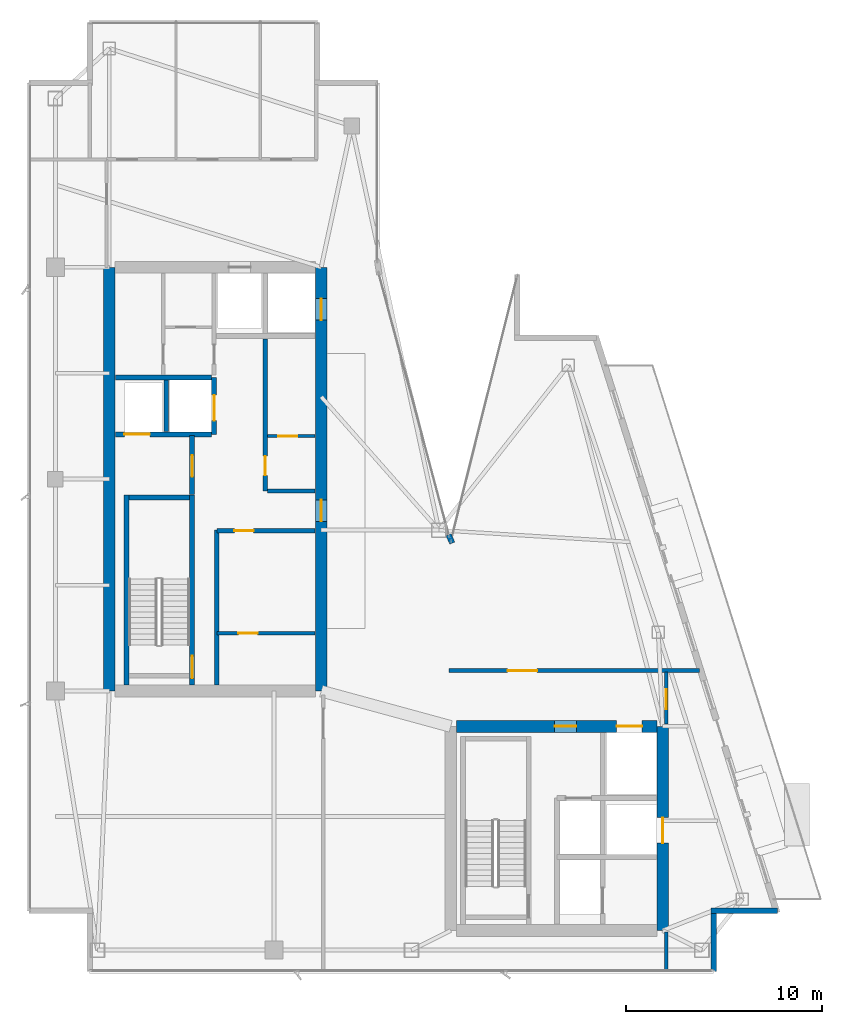
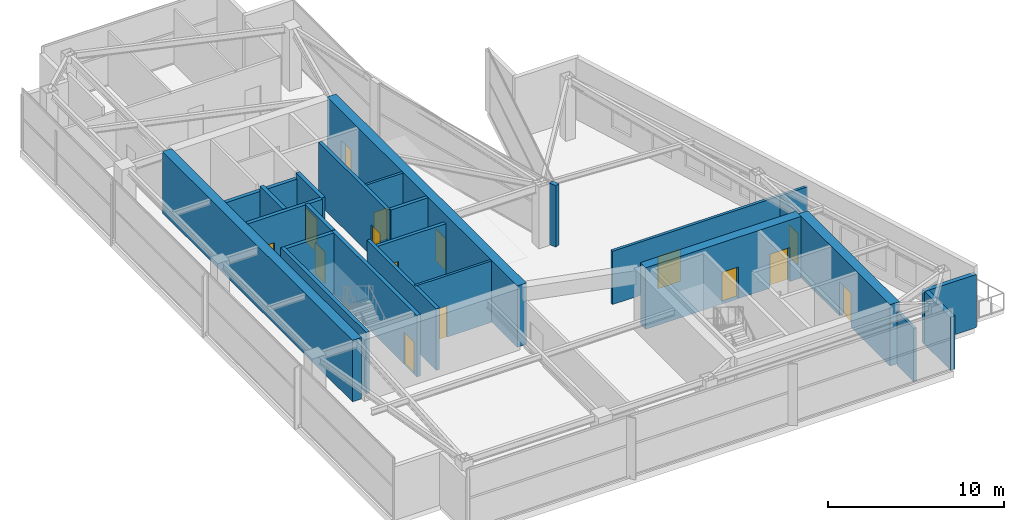
# One storey, part 21 of 25: 24 walls, 15 doors, 15 openings.
"""IFC4 building model written with IfcOpenShell, lengths in metres."""

from ifc_helpers import new_model, si_unit, direction, frame, frame_2d, origin, place, context, subcontext, project, spatial, rectangle, extrude, material, layer, layer_set, type_object, element, fill, save


model = new_model("IFC4")

# Units and contexts
model_context = context("Model", 3, precision=1e-05, world=origin(), true_north=direction((0.0, 1.0)))
body_context = subcontext(model_context, "Body", "Model", "MODEL_VIEW")
ifc_project = project(units=[si_unit("LENGTHUNIT", "METRE"), si_unit("AREAUNIT", "SQUARE_METRE"), si_unit("VOLUMEUNIT", "CUBIC_METRE"), si_unit("PLANEANGLEUNIT", "RADIAN"), si_unit("MASSUNIT", "GRAM", prefix="KILO")], contexts=[model_context])

# Site, building, storey
site_placement = place(None, origin())
site = spatial("IfcSite", under=ifc_project, at=site_placement, CompositionType="ELEMENT")
building_placement = place(site_placement, origin())
building = spatial("IfcBuilding", under=site, at=building_placement, Name="Calvorn Quay Hotel", CompositionType="ELEMENT")
storey_placement = place(building_placement, frame((0.0, 0.0, 307.0)))
storey = spatial("IfcBuildingStorey", under=building, at=storey_placement, Name="L76", CompositionType="ELEMENT", Elevation=307.0)

# Wall
ifc_material_1 = material(Name="Concrete C45", Category="concrete")
ifc_layer_1 = layer(ifc_material_1, 0.60009765625)
ifc_layer_set_1 = layer_set([ifc_layer_1], Name="WL-CORE-600")
wall_type_1 = type_object("IfcWallType", Name="WL-CORE-600", PredefinedType="SHEAR", material=ifc_layer_set_1)
wall_1_placement = place(storey_placement, frame((4.199951171875, 16.800048828125, 0.0), z_axis=(0.0, 0.0, 1.0), x_axis=(0.0, 1.0, 0.0)))
element("IfcWall", 1, at=wall_1_placement, inside=storey, type_object=wall_type_1, Name="West Core Shear Wall W (L76)", PredefinedType="SHEAR", context=body_context, shape_type="SweptSolid", body=[
    extrude(rectangle(XDim=21.599853515625, YDim=0.60009765625, at=frame_2d((10.7998046875, 0.0))), origin(), (0.0, 0.0, 1.0), 4.260009765625),
])

# Wall, openings, doors
wall_2_placement = place(storey_placement, frame((15.0, 16.800048828125, 0.0), z_axis=(0.0, 0.0, 1.0), x_axis=(0.0, 1.0, 0.0)))
wall_2 = element("IfcWall", 2, at=wall_2_placement, inside=storey, type_object=wall_type_1, Name="West Core Shear Wall E (L76)", PredefinedType="SHEAR", context=body_context, shape_type="SweptSolid", body=[
    extrude(rectangle(XDim=21.599853515625, YDim=0.60009765625, at=frame_2d((10.7998046875, 0.0))), origin(), (0.0, 0.0, 1.0), 4.260009765625),
])
opening_1_placement = place(wall_2_placement, frame((8.64990234375, 0.0, 0.0)))
opening_1 = element("IfcOpeningElement", 3, at=opening_1_placement, cuts=wall_2, Name="Opening D-L76-CW1", PredefinedType="OPENING", context=body_context, shape_type="SweptSolid", body=[
    extrude(rectangle(XDim=1.10009765625, YDim=2.199951171875, at=frame_2d((0.550048828125, 1.10009765625))), frame((0.0, 0.31005859375, 0.0), z_axis=(0.0, -1.0, 0.0), x_axis=(1.0, 0.0, 0.0)), (0.0, 0.0, 1.0), 0.6201171875),
])
opening_2_placement = place(wall_2_placement, frame((18.89990234375, 0.0, 0.0)))
opening_2 = element("IfcOpeningElement", 4, at=opening_2_placement, cuts=wall_2, Name="Opening LD-L76-H1", PredefinedType="OPENING", context=body_context, shape_type="SweptSolid", body=[
    extrude(rectangle(XDim=1.10009765625, YDim=2.199951171875, at=frame_2d((0.550048828125, 1.10009765625))), frame((0.0, 0.31005859375, 0.0), z_axis=(0.0, -1.0, 0.0), x_axis=(1.0, 0.0, 0.0)), (0.0, 0.0, 1.0), 0.6201171875),
])
ifc_material_2 = material(Name="Smoke-Sealed Steel Class A Fire Door", Category="steel")
door_type_1 = type_object("IfcDoorType", Name="DR-FFLOBBY-1100", OperationType="NOTDEFINED", PredefinedType="DOOR", material=ifc_material_2)
door_1_placement = place(opening_1_placement, origin())
door_1 = element("IfcDoor", 5, at=door_1_placement, inside=storey, type_object=door_type_1, Name="West Core Vestibule Fire Door (L76)", OperationType="SINGLE_SWING_LEFT", OverallHeight=2.199951171875, OverallWidth=1.10009765625, PredefinedType="DOOR", context=body_context, shape_type="SweptSolid", body=[
    extrude(rectangle(XDim=1.10009765625, YDim=2.199951171875, at=frame_2d((0.550048828125, 1.10009765625))), frame((0.0, 0.02490234375, 0.0), z_axis=(0.0, -1.0, 0.0), x_axis=(1.0, 0.0, 0.0)), (0.0, 0.0, 1.0), 0.050048828125),
])
fill(opening_1, door_1)
ifc_material_3 = material(Name="Brushed Stainless Steel Sliding Lift Landing Door", Category="steel")
door_type_2 = type_object("IfcDoorType", Name="DR-LIFT-PASS-1100", OperationType="NOTDEFINED", PredefinedType="DOOR", material=ifc_material_3)
door_2_placement = place(opening_2_placement, origin())
door_2 = element("IfcDoor", 6, at=door_2_placement, inside=storey, type_object=door_type_2, Name="High-Rise Lift PL-H1 Landing Door (L76)", OperationType="DOUBLE_DOOR_SLIDING", OverallHeight=2.199951171875, OverallWidth=1.10009765625, PredefinedType="DOOR", context=body_context, shape_type="SweptSolid", body=[
    extrude(rectangle(XDim=1.10009765625, YDim=2.199951171875, at=frame_2d((0.550048828125, 1.10009765625))), frame((0.0, 0.02490234375, 0.0), z_axis=(0.0, -1.0, 0.0), x_axis=(1.0, 0.0, 0.0)), (0.0, 0.0, 1.0), 0.050048828125),
])
fill(opening_2, door_2)

# Wall, opening, door
wall_3_placement = place(storey_placement, frame((32.39990234375, 4.60009765625, 0.0), z_axis=(0.0, 0.0, 1.0), x_axis=(0.0, 1.0, 0.0)))
wall_3 = element("IfcWall", 7, at=wall_3_placement, inside=storey, type_object=wall_type_1, Name="East Core Shear Wall E (L76)", PredefinedType="SHEAR", context=body_context, shape_type="SweptSolid", body=[
    extrude(rectangle(XDim=10.39990234375, YDim=0.60009765625, at=frame_2d((5.199951171875, 0.0))), origin(), (0.0, 0.0, 1.0), 4.260009765625),
])
opening_3_placement = place(wall_3_placement, frame((4.449951171875, 0.0, 0.0)))
opening_3 = element("IfcOpeningElement", 8, at=opening_3_placement, cuts=wall_3, Name="Opening LD-L76-OB2", PredefinedType="OPENING", context=body_context, shape_type="SweptSolid", body=[
    extrude(rectangle(XDim=1.300048828125, YDim=2.35009765625, at=frame_2d((0.64990234375, 1.175048828125))), frame((0.0, 0.31005859375, 0.0), z_axis=(0.0, -1.0, 0.0), x_axis=(1.0, 0.0, 0.0)), (0.0, 0.0, 1.0), 0.6201171875),
])
ifc_material_4 = material(Name="Champagne-Bronze Sliding Express Lift Landing Door")
door_type_3 = type_object("IfcDoorType", Name="DR-LIFT-SHUTTLE-1300", OperationType="NOTDEFINED", PredefinedType="DOOR", material=ifc_material_4)
door_3_placement = place(opening_3_placement, origin())
door_3 = element("IfcDoor", 9, at=door_3_placement, inside=storey, type_object=door_type_3, Name="Observation Shuttle PL-OB2 Landing Door (L76)", OperationType="DOUBLE_DOOR_SLIDING", OverallHeight=2.35009765625, OverallWidth=1.300048828125, PredefinedType="DOOR", context=body_context, shape_type="SweptSolid", body=[
    extrude(rectangle(XDim=1.300048828125, YDim=2.35009765625, at=frame_2d((0.64990234375, 1.175048828125))), frame((0.0, 0.02490234375, 0.0), z_axis=(0.0, -1.0, 0.0), x_axis=(1.0, 0.0, 0.0)), (0.0, 0.0, 1.0), 0.050048828125),
])
fill(opening_3, door_3)

# Wall, openings, doors
wall_4_placement = place(storey_placement, frame((21.89990234375, 15.0, 0.0), z_axis=(0.0, 0.0, 1.0), x_axis=(1.0, 0.0, 0.0)))
wall_4 = element("IfcWall", 10, at=wall_4_placement, inside=storey, type_object=wall_type_1, Name="East Core Shear Wall N (L76)", PredefinedType="SHEAR", context=body_context, shape_type="SweptSolid", body=[
    extrude(rectangle(XDim=10.2001953125, YDim=0.60009765625, at=frame_2d((5.10009765625, 0.0))), origin(), (0.0, 0.0, 1.0), 4.260009765625),
])
opening_4_placement = place(wall_4_placement, frame((5.0, 0.0, 0.0)))
opening_4 = element("IfcOpeningElement", 11, at=opening_4_placement, cuts=wall_4, Name="Opening D-L76-FLE", PredefinedType="OPENING", context=body_context, shape_type="SweptSolid", body=[
    extrude(rectangle(XDim=1.10009765625, YDim=2.199951171875, at=frame_2d((0.550048828125, 1.10009765625))), frame((0.0, 0.31005859375, 0.0), z_axis=(0.0, -1.0, 0.0), x_axis=(1.0, 0.0, 0.0)), (0.0, 0.0, 1.0), 0.6201171875),
])
opening_5_placement = place(wall_4_placement, frame((8.14990234375, 0.0, 0.0)))
opening_5 = element("IfcOpeningElement", 12, at=opening_5_placement, cuts=wall_4, Name="Opening LD-L76-OB1", PredefinedType="OPENING", context=body_context, shape_type="SweptSolid", body=[
    extrude(rectangle(XDim=1.300048828125, YDim=2.35009765625, at=frame_2d((0.64990234375, 1.175048828125))), frame((0.0, 0.31005859375, 0.0), z_axis=(0.0, -1.0, 0.0), x_axis=(1.0, 0.0, 0.0)), (0.0, 0.0, 1.0), 0.6201171875),
])
door_4_placement = place(opening_4_placement, origin())
door_4 = element("IfcDoor", 13, at=door_4_placement, inside=storey, type_object=door_type_1, Name="East Firefighting Lobby Fire Door (L76)", OperationType="SINGLE_SWING_RIGHT", OverallHeight=2.199951171875, OverallWidth=1.10009765625, PredefinedType="DOOR", context=body_context, shape_type="SweptSolid", body=[
    extrude(rectangle(XDim=1.10009765625, YDim=2.199951171875, at=frame_2d((0.550048828125, 1.10009765625))), frame((0.0, 0.02490234375, 0.0), z_axis=(0.0, -1.0, 0.0), x_axis=(1.0, 0.0, 0.0)), (0.0, 0.0, 1.0), 0.050048828125),
])
fill(opening_4, door_4)
door_5_placement = place(opening_5_placement, origin())
door_5 = element("IfcDoor", 14, at=door_5_placement, inside=storey, type_object=door_type_3, Name="Observation Shuttle PL-OB1 Landing Door (L76)", OperationType="DOUBLE_DOOR_SLIDING", OverallHeight=2.35009765625, OverallWidth=1.300048828125, PredefinedType="DOOR", context=body_context, shape_type="SweptSolid", body=[
    extrude(rectangle(XDim=1.300048828125, YDim=2.35009765625, at=frame_2d((0.64990234375, 1.175048828125))), frame((0.0, 0.02490234375, 0.0), z_axis=(0.0, -1.0, 0.0), x_axis=(1.0, 0.0, 0.0)), (0.0, 0.0, 1.0), 0.050048828125),
])
fill(opening_5, door_5)

# Wall, opening, door
ifc_material_5 = material(Name="Acoustic Fireboard Steel-Stud Partition", Category="steel")
ifc_layer_2 = layer(ifc_material_5, 0.179931640625)
ifc_layer_set_2 = layer_set([ifc_layer_2], Name="WL-CORR-FIRE-180")
wall_type_2 = type_object("IfcWallType", Name="WL-CORR-FIRE-180", PredefinedType="PARTITIONING", material=ifc_layer_set_2)
wall_5_placement = place(storey_placement, frame((21.5, 17.85009765625, 0.0), z_axis=(0.0, 0.0, 1.0), x_axis=(1.0, 0.0, 0.0)))
wall_5 = element("IfcWall", 15, at=wall_5_placement, inside=storey, type_object=wall_type_2, Name="Partition Wall L76-WL-SK-SE-N", PredefinedType="PARTITIONING", context=body_context, shape_type="SweptSolid", body=[
    extrude(rectangle(XDim=12.780029296875, YDim=0.179931640625, at=frame_2d((6.39013671875, 0.0))), origin(), (0.0, 0.0, 1.0), 3.68994140625),
])
opening_6_placement = place(wall_5_placement, frame((3.0, 0.0, 0.0)))
opening_6 = element("IfcOpeningElement", 16, at=opening_6_placement, cuts=wall_5, Name="Opening D-L76-A2", PredefinedType="OPENING", context=body_context, shape_type="SweptSolid", body=[
    extrude(rectangle(XDim=1.5, YDim=2.219970703125, at=frame_2d((0.75, 1.10986328125))), frame((0.0, 0.099853515625, 0.0), z_axis=(0.0, -1.0, 0.0), x_axis=(1.0, 0.0, 0.0)), (0.0, 0.0, 1.0), 0.199951171875),
])
ifc_material_6 = material(Name="Solid-Core Walnut Double Suite Entry Door")
door_type_4 = type_object("IfcDoorType", Name="DR-SUITE-DBL-1500", OperationType="NOTDEFINED", PredefinedType="DOOR", material=ifc_material_6)
door_6_placement = place(opening_6_placement, origin())
door_6 = element("IfcDoor", 17, at=door_6_placement, inside=storey, type_object=door_type_4, Name="North Gallery Door", OperationType="SINGLE_SWING_LEFT", OverallHeight=2.219970703125, OverallWidth=1.5, PredefinedType="DOOR", context=body_context, shape_type="SweptSolid", body=[
    extrude(rectangle(XDim=1.5, YDim=2.219970703125, at=frame_2d((0.75, 1.10986328125))), frame((0.0, 0.02490234375, 0.0), z_axis=(0.0, -1.0, 0.0), x_axis=(1.0, 0.0, 0.0)), (0.0, 0.0, 1.0), 0.050048828125),
])
fill(opening_6, door_6)

wall_6_placement = place(storey_placement, frame((32.580078125, 15.1201171875, 0.0), z_axis=(0.0, 0.0, 1.0), x_axis=(0.0, 1.0, 0.0)))
wall_6 = element("IfcWall", 18, at=wall_6_placement, inside=storey, type_object=wall_type_2, Name="Partition Wall L76-WL-SK-SE-W", PredefinedType="PARTITIONING", context=body_context, shape_type="SweptSolid", body=[
    extrude(rectangle(XDim=2.659912109375, YDim=0.179931640625, at=frame_2d((1.330078125, 0.0))), origin(), (0.0, 0.0, 1.0), 3.68994140625),
])
opening_7_placement = place(wall_6_placement, frame((0.75, 0.0, 0.0)))
opening_7 = element("IfcOpeningElement", 19, at=opening_7_placement, cuts=wall_6, Name="Opening D-L76-A3", PredefinedType="OPENING", context=body_context, shape_type="SweptSolid", body=[
    extrude(rectangle(XDim=1.02001953125, YDim=2.199951171875, at=frame_2d((0.510009765625, 1.10009765625))), frame((0.0, 0.099853515625, 0.0), z_axis=(0.0, -1.0, 0.0), x_axis=(1.0, 0.0, 0.0)), (0.0, 0.0, 1.0), 0.199951171875),
])
ifc_material_7 = material(Name="Solid-Core Walnut Veneer Hotel Fire Door")
door_type_5 = type_object("IfcDoorType", Name="DR-GUEST-ENTRY-1020", OperationType="NOTDEFINED", PredefinedType="DOOR", material=ifc_material_7)
door_7_placement = place(opening_7_placement, origin())
door_7 = element("IfcDoor", 20, at=door_7_placement, inside=storey, type_object=door_type_5, Name="East Lounge Door", OperationType="SINGLE_SWING_RIGHT", OverallHeight=2.199951171875, OverallWidth=1.02001953125, PredefinedType="DOOR", context=body_context, shape_type="SweptSolid", body=[
    extrude(rectangle(XDim=1.02001953125, YDim=2.199951171875, at=frame_2d((0.510009765625, 1.10009765625))), frame((0.0, 0.02490234375, 0.0), z_axis=(0.0, -1.0, 0.0), x_axis=(1.0, 0.0, 0.0)), (0.0, 0.0, 1.0), 0.050048828125),
])
fill(opening_7, door_7)

# Walls
wall_7_placement = place(storey_placement, frame((32.580078125, 2.60009765625, 0.0), z_axis=(0.0, 0.0, 1.0), x_axis=(0.0, 1.0, 0.0)))
element("IfcWall", 21, at=wall_7_placement, inside=storey, type_object=wall_type_2, Name="Partition Wall L76-WL-SK-SE-WS", PredefinedType="PARTITIONING", context=body_context, shape_type="SweptSolid", body=[
    extrude(rectangle(XDim=1.919921875, YDim=0.179931640625, at=frame_2d((0.9599609375, 0.0))), origin(), (0.0, 0.0, 1.0), 3.68994140625),
])
ifc_material_8 = material(Name="Concrete C40", Category="concrete")
ifc_layer_3 = layer(ifc_material_8, 0.320068359375)
ifc_layer_set_3 = layer_set([ifc_layer_3], Name="WL-EXT-SPANDREL-320")
wall_type_3 = type_object("IfcWallType", Name="WL-EXT-SPANDREL-320", PredefinedType="SOLIDWALL", material=ifc_layer_set_3)
wall_8_placement = place(storey_placement, frame((21.679931640625, 24.340087890625, 0.0), z_axis=(0.0, 0.0, 1.0), x_axis=(-0.40758134973, 0.913168901875, 0.0)))
element("IfcWall", 22, at=wall_8_placement, inside=storey, type_object=wall_type_3, Name="Inner Court Corner Pier L76-ICJ1", PredefinedType="SOLIDWALL", context=body_context, shape_type="SweptSolid", body=[
    extrude(rectangle(XDim=0.470703125, YDim=0.280029296875, at=frame_2d((0.2353515625, 0.0))), origin(), (0.0, 0.0, 1.0), 4.260009765625),
])
wall_9_placement = place(storey_placement, frame((35.0, 2.52001953125, 0.0), z_axis=(0.0, 0.0, 1.0), x_axis=(0.0, 1.0, 0.0)))
element("IfcWall", 23, at=wall_9_placement, inside=storey, type_object=wall_type_3, Name="Notched Corner Spandrel L76-SE1", PredefinedType="SOLIDWALL", context=body_context, shape_type="SweptSolid", body=[
    extrude(rectangle(XDim=2.93994140625, YDim=0.280029296875, at=frame_2d((1.469970703125, 0.0))), origin(), (0.0, 0.0, 1.0), 3.68994140625),
])
wall_10_placement = place(storey_placement, frame((34.860107421875, 5.60009765625, 0.0), z_axis=(0.0, 0.0, 1.0), x_axis=(1.0, 0.0, 0.0)))
element("IfcWall", 24, at=wall_10_placement, inside=storey, type_object=wall_type_3, Name="Notched Corner Spandrel L76-SE2", PredefinedType="SOLIDWALL", context=body_context, shape_type="SweptSolid", body=[
    extrude(rectangle(XDim=3.3798828125, YDim=0.280029296875, at=frame_2d((1.68994140625, 0.0))), origin(), (0.0, 0.0, 1.0), 3.68994140625),
])

# Wall, opening, door
ifc_material_9 = material(Name="Double-Stud Acoustic Gypsum Partition")
ifc_layer_4 = layer(ifc_material_9, 0.159912109375)
ifc_layer_set_4 = layer_set([ifc_layer_4], Name="WL-INTERSUITE-160")
wall_type_4 = type_object("IfcWallType", Name="WL-INTERSUITE-160", PredefinedType="PARTITIONING", material=ifc_layer_set_4)
wall_11_placement = place(storey_placement, frame((9.679931640625, 19.75, 0.0), z_axis=(0.0, 0.0, 1.0), x_axis=(1.0, 0.0, 0.0)))
wall_11 = element("IfcWall", 25, at=wall_11_placement, inside=storey, type_object=wall_type_4, Name="Partition Wall L76-WL-CWW-FR-SPLIT", PredefinedType="PARTITIONING", context=body_context, shape_type="SweptSolid", body=[
    extrude(rectangle(XDim=5.0, YDim=0.159912109375, at=frame_2d((2.5, 0.0))), origin(), (0.0, 0.0, 1.0), 4.260009765625),
])
opening_8_placement = place(wall_11_placement, frame((1.10009765625, 0.0, 0.0)))
opening_8 = element("IfcOpeningElement", 26, at=opening_8_placement, cuts=wall_11, Name="Opening D-L76-FRL1", PredefinedType="OPENING", context=body_context, shape_type="SweptSolid", body=[
    extrude(rectangle(XDim=0.97998046875, YDim=2.14990234375, at=frame_2d((0.489990234375, 1.074951171875))), frame((0.0, 0.08984375, 0.0), z_axis=(0.0, -1.0, 0.0), x_axis=(1.0, 0.0, 0.0)), (0.0, 0.0, 1.0), 0.179931640625),
])
ifc_material_10 = material(Name="Painted Steel Housekeeping/Riser Fire Door", Category="steel")
door_type_6 = type_object("IfcDoorType", Name="DR-SERVICE-980", OperationType="NOTDEFINED", PredefinedType="DOOR", material=ifc_material_10)
door_8_placement = place(opening_8_placement, origin())
door_8 = element("IfcDoor", 27, at=door_8_placement, inside=storey, type_object=door_type_6, Name="Linen Store Room Door (L76)", OperationType="SINGLE_SWING_LEFT", OverallHeight=2.14990234375, OverallWidth=0.97998046875, PredefinedType="DOOR", context=body_context, shape_type="SweptSolid", body=[
    extrude(rectangle(XDim=0.97998046875, YDim=2.14990234375, at=frame_2d((0.489990234375, 1.074951171875))), frame((0.0, 0.02490234375, 0.0), z_axis=(0.0, -1.0, 0.0), x_axis=(1.0, 0.0, 0.0)), (0.0, 0.0, 1.0), 0.050048828125),
])
fill(opening_8, door_8)

wall_12_placement = place(storey_placement, frame((12.25, 29.800048828125, 0.0), z_axis=(0.0, 0.0, 1.0), x_axis=(1.0, 0.0, 0.0)))
wall_12 = element("IfcWall", 28, at=wall_12_placement, inside=storey, type_object=wall_type_4, Name="Partition Wall L76-WL-CWW-FM-SPLIT", PredefinedType="PARTITIONING", context=body_context, shape_type="SweptSolid", body=[
    extrude(rectangle(XDim=2.429931640625, YDim=0.159912109375, at=frame_2d((1.21484375, 0.0))), origin(), (0.0, 0.0, 1.0), 4.260009765625),
])
opening_9_placement = place(wall_12_placement, frame((0.550048828125, 0.0, 0.0)))
opening_9 = element("IfcOpeningElement", 29, at=opening_9_placement, cuts=wall_12, Name="Opening D-L76-FM2", PredefinedType="OPENING", context=body_context, shape_type="SweptSolid", body=[
    extrude(rectangle(XDim=0.97998046875, YDim=2.14990234375, at=frame_2d((0.489990234375, 1.074951171875))), frame((0.0, 0.08984375, 0.0), z_axis=(0.0, -1.0, 0.0), x_axis=(1.0, 0.0, 0.0)), (0.0, 0.0, 1.0), 0.179931640625),
])
door_9_placement = place(opening_9_placement, origin())
door_9 = element("IfcDoor", 30, at=door_9_placement, inside=storey, type_object=door_type_6, Name="Comms Room Door (L76)", OperationType="SINGLE_SWING_LEFT", OverallHeight=2.14990234375, OverallWidth=0.97998046875, PredefinedType="DOOR", context=body_context, shape_type="SweptSolid", body=[
    extrude(rectangle(XDim=0.97998046875, YDim=2.14990234375, at=frame_2d((0.489990234375, 1.074951171875))), frame((0.0, 0.02490234375, 0.0), z_axis=(0.0, -1.0, 0.0), x_axis=(1.0, 0.0, 0.0)), (0.0, 0.0, 1.0), 0.050048828125),
])
fill(opening_9, door_9)

# Wall
ifc_material_11 = material(Name="Autoclaved Aerated Masonry Block", Category="masonry")
ifc_layer_5 = layer(ifc_material_11, 0.219970703125)
ifc_layer_set_5 = layer_set([ifc_layer_5], Name="WL-LOBBY-FIRE-220")
wall_type_5 = type_object("IfcWallType", Name="WL-LOBBY-FIRE-220", PredefinedType="SOLIDWALL", material=ifc_layer_set_5)
wall_13_placement = place(storey_placement, frame((9.679931640625, 17.1201171875, 0.0), z_axis=(0.0, 0.0, 1.0), x_axis=(0.0, 1.0, 0.0)))
element("IfcWall", 31, at=wall_13_placement, inside=storey, type_object=wall_type_5, Name="Partition Wall L76-WL-CWW-STW-HALL-E", PredefinedType="SOLIDWALL", context=body_context, shape_type="SweptSolid", body=[
    extrude(rectangle(XDim=7.8798828125, YDim=0.219970703125, at=frame_2d((3.93994140625, 0.0))), origin(), (0.0, 0.0, 1.0), 4.260009765625),
])

# Wall, opening, door
wall_14_placement = place(storey_placement, frame((9.679931640625, 24.969970703125, 0.0), z_axis=(0.0, 0.0, 1.0), x_axis=(1.0, 0.0, 0.0)))
wall_14 = element("IfcWall", 32, at=wall_14_placement, inside=storey, type_object=wall_type_5, Name="Partition Wall L76-WL-CWW-FR-N", PredefinedType="SOLIDWALL", context=body_context, shape_type="SweptSolid", body=[
    extrude(rectangle(XDim=5.0, YDim=0.219970703125, at=frame_2d((2.5, 0.0))), origin(), (0.0, 0.0, 1.0), 3.68994140625),
])
opening_10_placement = place(wall_14_placement, frame((0.89990234375, 0.0, 0.0)))
opening_10 = element("IfcOpeningElement", 33, at=opening_10_placement, cuts=wall_14, Name="Opening D-L76-FRL2", PredefinedType="OPENING", context=body_context, shape_type="SweptSolid", body=[
    extrude(rectangle(XDim=0.97998046875, YDim=2.14990234375, at=frame_2d((0.489990234375, 1.074951171875))), frame((0.0, 0.119873046875, 0.0), z_axis=(0.0, -1.0, 0.0), x_axis=(1.0, 0.0, 0.0)), (0.0, 0.0, 1.0), 0.239990234375),
])
door_10_placement = place(opening_10_placement, origin())
door_10 = element("IfcDoor", 34, at=door_10_placement, inside=storey, type_object=door_type_6, Name="Beverage Pantry Door (L76)", OperationType="SINGLE_SWING_RIGHT", OverallHeight=2.14990234375, OverallWidth=0.97998046875, PredefinedType="DOOR", context=body_context, shape_type="SweptSolid", body=[
    extrude(rectangle(XDim=0.97998046875, YDim=2.14990234375, at=frame_2d((0.489990234375, 1.074951171875))), frame((0.0, 0.02490234375, 0.0), z_axis=(0.0, -1.0, 0.0), x_axis=(1.0, 0.0, 0.0)), (0.0, 0.0, 1.0), 0.050048828125),
])
fill(opening_10, door_10)

# Wall
wall_15_placement = place(storey_placement, frame((12.25, 27.0, 0.0), z_axis=(0.0, 0.0, 1.0), x_axis=(1.0, 0.0, 0.0)))
element("IfcWall", 35, at=wall_15_placement, inside=storey, type_object=wall_type_5, Name="Partition Wall L76-WL-CWW-FM-S", PredefinedType="SOLIDWALL", context=body_context, shape_type="SweptSolid", body=[
    extrude(rectangle(XDim=2.429931640625, YDim=0.219970703125, at=frame_2d((1.21484375, 0.0))), origin(), (0.0, 0.0, 1.0), 4.260009765625),
])

# Wall, opening, door
wall_16_placement = place(storey_placement, frame((12.14990234375, 27.0, 0.0), z_axis=(0.0, 0.0, 1.0), x_axis=(0.0, 1.0, 0.0)))
wall_16 = element("IfcWall", 36, at=wall_16_placement, inside=storey, type_object=wall_type_5, Name="Partition Wall L76-WL-CWW-FM-W", PredefinedType="SOLIDWALL", context=body_context, shape_type="SweptSolid", body=[
    extrude(rectangle(XDim=7.75, YDim=0.219970703125, at=frame_2d((3.875, 0.0))), origin(), (0.0, 0.0, 1.0), 4.260009765625),
])
opening_11_placement = place(wall_16_placement, frame((0.800048828125, 0.0, 0.0)))
opening_11 = element("IfcOpeningElement", 37, at=opening_11_placement, cuts=wall_16, Name="Opening D-L76-FM1", PredefinedType="OPENING", context=body_context, shape_type="SweptSolid", body=[
    extrude(rectangle(XDim=0.97998046875, YDim=2.14990234375, at=frame_2d((0.489990234375, 1.074951171875))), frame((0.0, 0.119873046875, 0.0), z_axis=(0.0, -1.0, 0.0), x_axis=(1.0, 0.0, 0.0)), (0.0, 0.0, 1.0), 0.239990234375),
])
door_11_placement = place(opening_11_placement, origin())
door_11 = element("IfcDoor", 38, at=door_11_placement, inside=storey, type_object=door_type_6, Name="Butler Pantry Door (L76)", OperationType="SINGLE_SWING_RIGHT", OverallHeight=2.14990234375, OverallWidth=0.97998046875, PredefinedType="DOOR", context=body_context, shape_type="SweptSolid", body=[
    extrude(rectangle(XDim=0.97998046875, YDim=2.14990234375, at=frame_2d((0.489990234375, 1.074951171875))), frame((0.0, 0.02490234375, 0.0), z_axis=(0.0, -1.0, 0.0), x_axis=(1.0, 0.0, 0.0)), (0.0, 0.0, 1.0), 0.050048828125),
])
fill(opening_11, door_11)

# Wall
ifc_material_12 = material(Name="Concrete C40", Category="concrete")
ifc_layer_6 = layer(ifc_material_12, 0.239990234375)
ifc_layer_set_6 = layer_set([ifc_layer_6], Name="WL-SHAFT-240")
wall_type_6 = type_object("IfcWallType", Name="WL-SHAFT-240", PredefinedType="SOLIDWALL", material=ifc_layer_set_6)
wall_17_placement = place(storey_placement, frame((5.080078125, 17.10009765625, 0.0), z_axis=(0.0, 0.0, 1.0), x_axis=(0.0, 1.0, 0.0)))
element("IfcWall", 39, at=wall_17_placement, inside=storey, type_object=wall_type_6, Name="Stair STW Shaft Wall W (L76)", PredefinedType="SOLIDWALL", context=body_context, shape_type="SweptSolid", body=[
    extrude(rectangle(XDim=9.68994140625, YDim=0.239990234375, at=frame_2d((4.844970703125, 0.0))), origin(), (0.0, 0.0, 1.0), 4.260009765625),
])

# Wall, opening, door
wall_18_placement = place(storey_placement, frame((8.419921875, 17.10009765625, 0.0), z_axis=(0.0, 0.0, 1.0), x_axis=(0.0, 1.0, 0.0)))
wall_18 = element("IfcWall", 40, at=wall_18_placement, inside=storey, type_object=wall_type_6, Name="Stair STW Shaft Wall E (L76)", PredefinedType="SOLIDWALL", context=body_context, shape_type="SweptSolid", body=[
    extrude(rectangle(XDim=9.68994140625, YDim=0.239990234375, at=frame_2d((4.844970703125, 0.0))), origin(), (0.0, 0.0, 1.0), 4.260009765625),
])
opening_12_placement = place(wall_18_placement, frame((0.35009765625, 0.0, 0.0)))
opening_12 = element("IfcOpeningElement", 41, at=opening_12_placement, cuts=wall_18, Name="Opening D-L76-STW", PredefinedType="OPENING", context=body_context, shape_type="SweptSolid", body=[
    extrude(rectangle(XDim=1.14990234375, YDim=2.199951171875, at=frame_2d((0.574951171875, 1.10009765625))), frame((0.0, 0.1298828125, 0.0), z_axis=(0.0, -1.0, 0.0), x_axis=(1.0, 0.0, 0.0)), (0.0, 0.0, 1.0), 0.260009765625),
])
ifc_material_13 = material(Name="Galvanised Steel Class A Fire Door", Category="steel")
door_type_7 = type_object("IfcDoorType", Name="DR-STAIR-SMOKE-1150", OperationType="NOTDEFINED", PredefinedType="DOOR", material=ifc_material_13)
door_12_placement = place(opening_12_placement, origin())
door_12 = element("IfcDoor", 42, at=door_12_placement, inside=storey, type_object=door_type_7, Name="Stair ST-W Fire Door (L76)", OperationType="SINGLE_SWING_LEFT", OverallHeight=2.199951171875, OverallWidth=1.14990234375, PredefinedType="DOOR", context=body_context, shape_type="SweptSolid", body=[
    extrude(rectangle(XDim=1.14990234375, YDim=2.199951171875, at=frame_2d((0.574951171875, 1.10009765625))), frame((0.0, 0.02490234375, 0.0), z_axis=(0.0, -1.0, 0.0), x_axis=(1.0, 0.0, 0.0)), (0.0, 0.0, 1.0), 0.050048828125),
])
fill(opening_12, door_12)

# Wall
wall_19_placement = place(storey_placement, frame((5.199951171875, 26.669921875, 0.0), z_axis=(0.0, 0.0, 1.0), x_axis=(1.0, 0.0, 0.0)))
element("IfcWall", 43, at=wall_19_placement, inside=storey, type_object=wall_type_6, Name="Stair STW Shaft Wall N (L76)", PredefinedType="SOLIDWALL", context=body_context, shape_type="SweptSolid", body=[
    extrude(rectangle(XDim=3.10009765625, YDim=0.239990234375, at=frame_2d((1.550048828125, 0.0))), origin(), (0.0, 0.0, 1.0), 4.260009765625),
])

# Wall, opening, door
wall_20_placement = place(storey_placement, frame((8.419921875, 26.820068359375, 0.0), z_axis=(0.0, 0.0, 1.0), x_axis=(0.0, 1.0, 0.0)))
wall_20 = element("IfcWall", 44, at=wall_20_placement, inside=storey, type_object=wall_type_6, Name="Partition Wall L76-WL-CWW-FFL-E", PredefinedType="SOLIDWALL", context=body_context, shape_type="SweptSolid", body=[
    extrude(rectangle(XDim=3.0, YDim=0.239990234375, at=frame_2d((1.5, 0.0))), origin(), (0.0, 0.0, 1.0), 4.260009765625),
])
opening_13_placement = place(wall_20_placement, frame((0.89990234375, 0.0, 0.0)))
opening_13 = element("IfcOpeningElement", 45, at=opening_13_placement, cuts=wall_20, Name="Opening D-L76-FLW", PredefinedType="OPENING", context=body_context, shape_type="SweptSolid", body=[
    extrude(rectangle(XDim=1.10009765625, YDim=2.199951171875, at=frame_2d((0.550048828125, 1.10009765625))), frame((0.0, 0.1298828125, 0.0), z_axis=(0.0, -1.0, 0.0), x_axis=(1.0, 0.0, 0.0)), (0.0, 0.0, 1.0), 0.260009765625),
])
door_13_placement = place(opening_13_placement, origin())
door_13 = element("IfcDoor", 46, at=door_13_placement, inside=storey, type_object=door_type_1, Name="West Firefighting Lobby Fire Door (L76)", OperationType="SINGLE_SWING_RIGHT", OverallHeight=2.199951171875, OverallWidth=1.10009765625, PredefinedType="DOOR", context=body_context, shape_type="SweptSolid", body=[
    extrude(rectangle(XDim=1.10009765625, YDim=2.199951171875, at=frame_2d((0.550048828125, 1.10009765625))), frame((0.0, 0.02490234375, 0.0), z_axis=(0.0, -1.0, 0.0), x_axis=(1.0, 0.0, 0.0)), (0.0, 0.0, 1.0), 0.050048828125),
])
fill(opening_13, door_13)

wall_21_placement = place(storey_placement, frame((4.52001953125, 29.8798828125, 0.0), z_axis=(0.0, 0.0, 1.0), x_axis=(1.0, 0.0, 0.0)))
wall_21 = element("IfcWall", 47, at=wall_21_placement, inside=storey, type_object=wall_type_6, Name="Partition Wall L76-WL-CWW-FLW-S", PredefinedType="SOLIDWALL", context=body_context, shape_type="SweptSolid", body=[
    extrude(rectangle(XDim=4.89990234375, YDim=0.239990234375, at=frame_2d((2.449951171875, 0.0))), origin(), (0.0, 0.0, 1.0), 4.260009765625),
])
opening_14_placement = place(wall_21_placement, frame((0.449951171875, 0.0, 0.0)))
opening_14 = element("IfcOpeningElement", 48, at=opening_14_placement, cuts=wall_21, Name="Opening LD-L76-FLW1", PredefinedType="OPENING", context=body_context, shape_type="SweptSolid", body=[
    extrude(rectangle(XDim=1.300048828125, YDim=2.35009765625, at=frame_2d((0.64990234375, 1.175048828125))), frame((0.0, 0.1298828125, 0.0), z_axis=(0.0, -1.0, 0.0), x_axis=(1.0, 0.0, 0.0)), (0.0, 0.0, 1.0), 0.260009765625),
])
door_14_placement = place(opening_14_placement, origin())
door_14 = element("IfcDoor", 49, at=door_14_placement, inside=storey, type_object=door_type_3, Name="Firefighting Lift FL-W1 Landing Door (L76)", OperationType="DOUBLE_DOOR_SLIDING", OverallHeight=2.35009765625, OverallWidth=1.300048828125, PredefinedType="DOOR", context=body_context, shape_type="SweptSolid", body=[
    extrude(rectangle(XDim=1.300048828125, YDim=2.35009765625, at=frame_2d((0.64990234375, 1.175048828125))), frame((0.0, 0.02490234375, 0.0), z_axis=(0.0, -1.0, 0.0), x_axis=(1.0, 0.0, 0.0)), (0.0, 0.0, 1.0), 0.050048828125),
])
fill(opening_14, door_14)

# Wall
wall_22_placement = place(storey_placement, frame((7.10009765625, 30.02001953125, 0.0), z_axis=(0.0, 0.0, 1.0), x_axis=(0.0, 1.0, 0.0)))
element("IfcWall", 50, at=wall_22_placement, inside=storey, type_object=wall_type_6, Name="Partition Wall L76-WL-CWW-FLW-DIV", PredefinedType="SOLIDWALL", context=body_context, shape_type="SweptSolid", body=[
    extrude(rectangle(XDim=2.6298828125, YDim=0.239990234375, at=frame_2d((1.31494140625, 0.0))), origin(), (0.0, 0.0, 1.0), 4.260009765625),
])

# Wall, opening, door
wall_23_placement = place(storey_placement, frame((9.5400390625, 29.8798828125, 0.0), z_axis=(0.0, 0.0, 1.0), x_axis=(0.0, 1.0, 0.0)))
wall_23 = element("IfcWall", 51, at=wall_23_placement, inside=storey, type_object=wall_type_6, Name="Partition Wall L76-WL-CWW-SLW-E", PredefinedType="SOLIDWALL", context=body_context, shape_type="SweptSolid", body=[
    extrude(rectangle(XDim=2.900146484375, YDim=0.239990234375, at=frame_2d((1.4501953125, 0.0))), origin(), (0.0, 0.0, 1.0), 4.260009765625),
])
opening_15_placement = place(wall_23_placement, frame((0.699951171875, 0.0, 0.0)))
opening_15 = element("IfcOpeningElement", 52, at=opening_15_placement, cuts=wall_23, Name="Opening LD-L76-SLW1", PredefinedType="OPENING", context=body_context, shape_type="SweptSolid", body=[
    extrude(rectangle(XDim=1.300048828125, YDim=2.35009765625, at=frame_2d((0.64990234375, 1.175048828125))), frame((0.0, 0.1298828125, 0.0), z_axis=(0.0, -1.0, 0.0), x_axis=(1.0, 0.0, 0.0)), (0.0, 0.0, 1.0), 0.260009765625),
])
door_15_placement = place(opening_15_placement, origin())
door_15 = element("IfcDoor", 53, at=door_15_placement, inside=storey, type_object=door_type_3, Name="Service Lift SL-W1 Landing Door (L76)", OperationType="DOUBLE_DOOR_SLIDING", OverallHeight=2.35009765625, OverallWidth=1.300048828125, PredefinedType="DOOR", context=body_context, shape_type="SweptSolid", body=[
    extrude(rectangle(XDim=1.300048828125, YDim=2.35009765625, at=frame_2d((0.64990234375, 1.175048828125))), frame((0.0, 0.02490234375, 0.0), z_axis=(0.0, -1.0, 0.0), x_axis=(1.0, 0.0, 0.0)), (0.0, 0.0, 1.0), 0.050048828125),
])
fill(opening_15, door_15)

# Wall
wall_24_placement = place(storey_placement, frame((4.52001953125, 32.780029296875, 0.0), z_axis=(0.0, 0.0, 1.0), x_axis=(1.0, 0.0, 0.0)))
element("IfcWall", 54, at=wall_24_placement, inside=storey, type_object=wall_type_6, Name="Partition Wall L76-WL-CWW-SLW-N", PredefinedType="SOLIDWALL", context=body_context, shape_type="SweptSolid", body=[
    extrude(rectangle(XDim=4.89990234375, YDim=0.239990234375, at=frame_2d((2.449951171875, 0.0))), origin(), (0.0, 0.0, 1.0), 3.889892578125),
])

save(model, "model.ifc")
